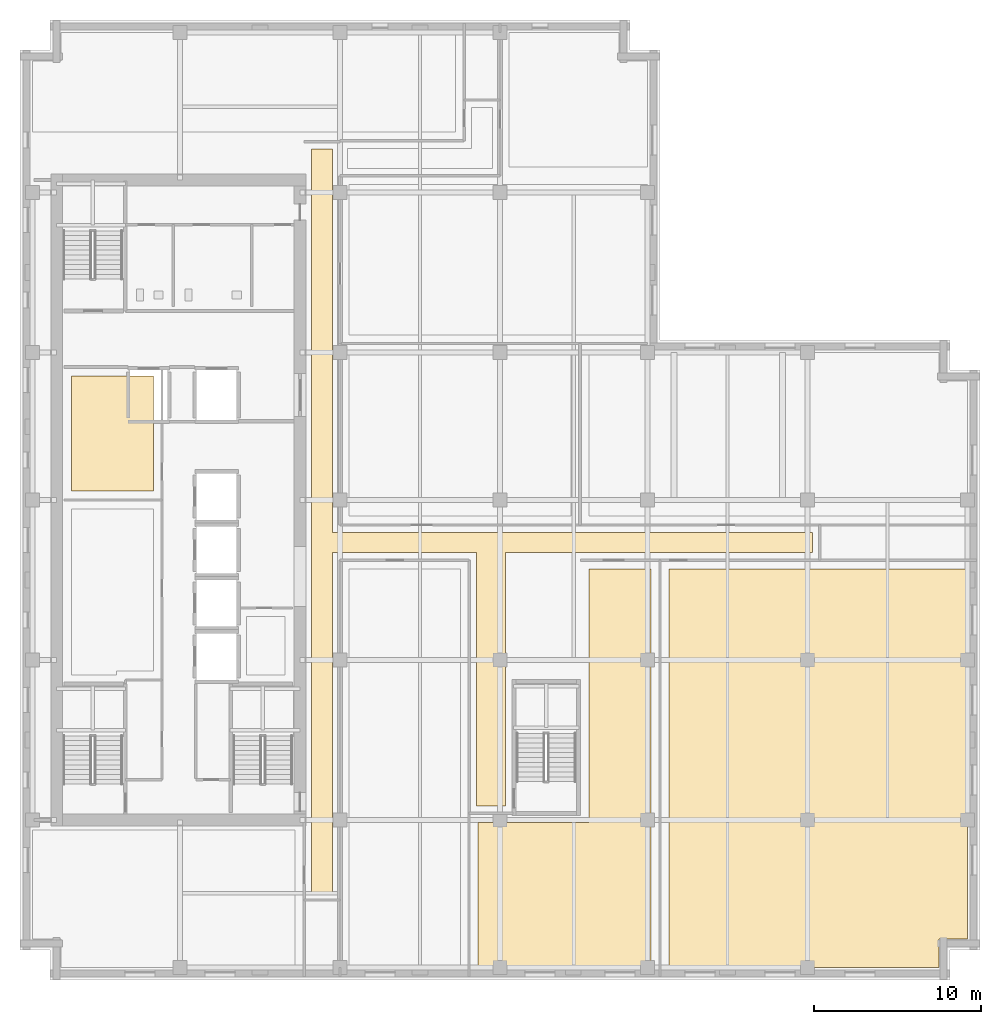
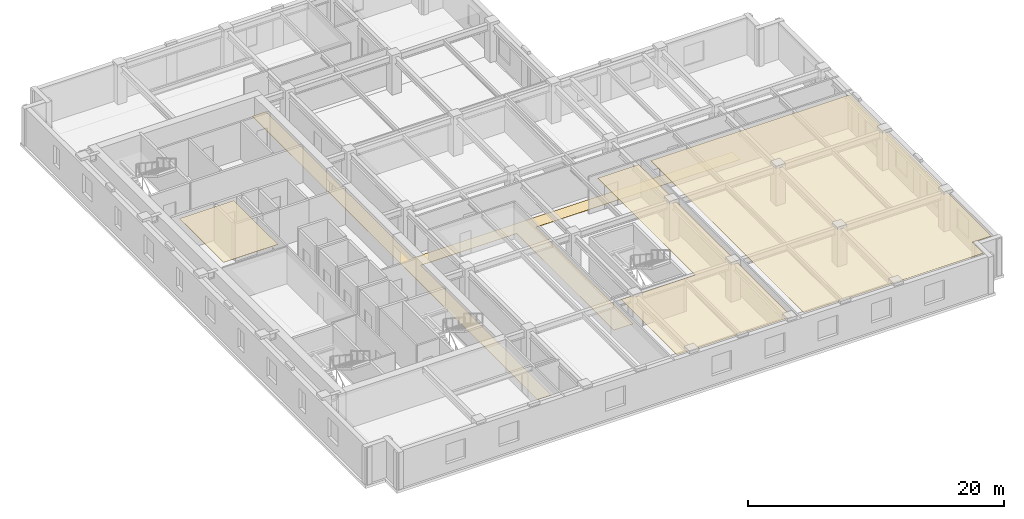
# One storey, part 11 of 14: 4 coverings.
"""IFC4 building model written with IfcOpenShell, lengths in metres."""

from ifc_helpers import new_model, si_unit, direction, frame, origin, place, context, subcontext, project, spatial, polyline, outline, extrude, material, layer, layer_set, type_object, element, save


model = new_model("IFC4")

# Units and contexts
model_context = context("Model", 3, precision=1e-05, world=origin(), true_north=direction((0.0, 1.0)))
body_context = subcontext(model_context, "Body", "Model", "MODEL_VIEW")
ifc_project = project(units=[si_unit("LENGTHUNIT", "METRE"), si_unit("AREAUNIT", "SQUARE_METRE"), si_unit("VOLUMEUNIT", "CUBIC_METRE"), si_unit("PLANEANGLEUNIT", "RADIAN"), si_unit("MASSUNIT", "GRAM", prefix="KILO")], contexts=[model_context])

# Site, building, storey
site_placement = place(None, origin())
site = spatial("IfcSite", under=ifc_project, at=site_placement, CompositionType="ELEMENT")
building_placement = place(site_placement, origin())
building = spatial("IfcBuilding", under=site, at=building_placement, Name="Norrvale University Quadrangle", CompositionType="ELEMENT")
storey_placement = place(building_placement, frame((0.0, 0.0, 218.0)))
storey = spatial("IfcBuildingStorey", under=building, at=storey_placement, Name="L55", CompositionType="ELEMENT", Elevation=218.0)

# Coverings
ifc_material_1 = material(Name="Perforated Acoustic Mineral Ceiling")
ifc_layer_1 = layer(ifc_material_1, 0.02490234375, Name="Perforated Acoustic Mineral Ceiling")
ifc_layer_set_1 = layer_set([ifc_layer_1], Name="Perforated Acoustic Mineral Ceiling")
covering_type_1 = type_object("IfcCoveringType", Name="Covering Acoustic Ceiling 25", PredefinedType="CEILING", material=ifc_layer_set_1)
covering_1_placement = place(storey_placement, frame((0.0, 0.0, 3.514892578125)))
element("IfcCovering", 1, at=covering_1_placement, inside=storey, type_object=covering_type_1, Name="Acoustic Ceiling RM-L55-REC3", PredefinedType="CEILING", context=body_context, shape_type="SweptSolid", body=[
    extrude(outline(polyline([(3.10009765625, 29.35009765625), (3.10009765625, 36.25), (8.0, 36.25), (8.0, 29.35009765625), (3.10009765625, 29.35009765625)])), origin(), (0.0, 0.0, 1.0), 0.025146484375),
])
covering_2_placement = place(storey_placement, frame((0.0, 0.0, 3.514892578125)))
element("IfcCovering", 2, at=covering_2_placement, inside=storey, type_object=covering_type_1, Name="Acoustic Ceiling RM-L55-SE2", PredefinedType="CEILING", context=body_context, shape_type="SweptSolid", body=[
    extrude(outline(polyline([(27.47998046875, 9.449951171875), (34.14990234375, 9.449951171875), (34.14990234375, 24.669921875), (37.8701171875, 24.669921875), (37.8701171875, 0.75), (27.47998046875, 0.75), (27.47998046875, 9.449951171875)])), origin(), (0.0, 0.0, 1.0), 0.025146484375),
])
covering_3_placement = place(storey_placement, frame((0.0, 0.0, 3.514892578125)))
element("IfcCovering", 3, at=covering_3_placement, inside=storey, type_object=covering_type_1, Name="Acoustic Ceiling RM-L55-SE3", PredefinedType="CEILING", context=body_context, shape_type="SweptSolid", body=[
    extrude(outline(polyline([(38.929931640625, 0.75), (38.929931640625, 24.669921875), (56.85009765625, 24.669921875), (56.85009765625, 2.469970703125), (55.1298828125, 2.469970703125), (55.1298828125, 0.75), (38.929931640625, 0.75)])), origin(), (0.0, 0.0, 1.0), 0.025146484375),
])
ifc_material_2 = material(Name="Polished Terrazzo Flooring")
ifc_layer_2 = layer(ifc_material_2, 0.02490234375, Name="Polished Terrazzo Flooring")
ifc_layer_set_2 = layer_set([ifc_layer_2], Name="Polished Terrazzo Flooring")
covering_type_2 = type_object("IfcCoveringType", Name="Covering Terrazzo Floor 30", PredefinedType="FLOORING", material=ifc_layer_set_2)
covering_4_placement = place(storey_placement, origin())
element("IfcCovering", 4, at=covering_4_placement, inside=storey, type_object=covering_type_2, Name="Terrazzo Flooring RM-L55-CORR1", PredefinedType="FLOORING", context=body_context, shape_type="SweptSolid", body=[
    extrude(outline(polyline([(17.5, 5.25), (17.5, 49.85009765625), (18.75, 49.85009765625), (18.75, 26.85009765625), (47.550048828125, 26.85009765625), (47.550048828125, 25.64990234375), (29.1298828125, 25.64990234375), (29.1298828125, 10.449951171875), (27.39990234375, 10.449951171875), (27.39990234375, 25.64990234375), (18.75, 25.64990234375), (18.75, 5.25), (17.5, 5.25)])), origin(), (0.0, 0.0, 1.0), 0.02490234375),
])

save(model, "model.ifc")
